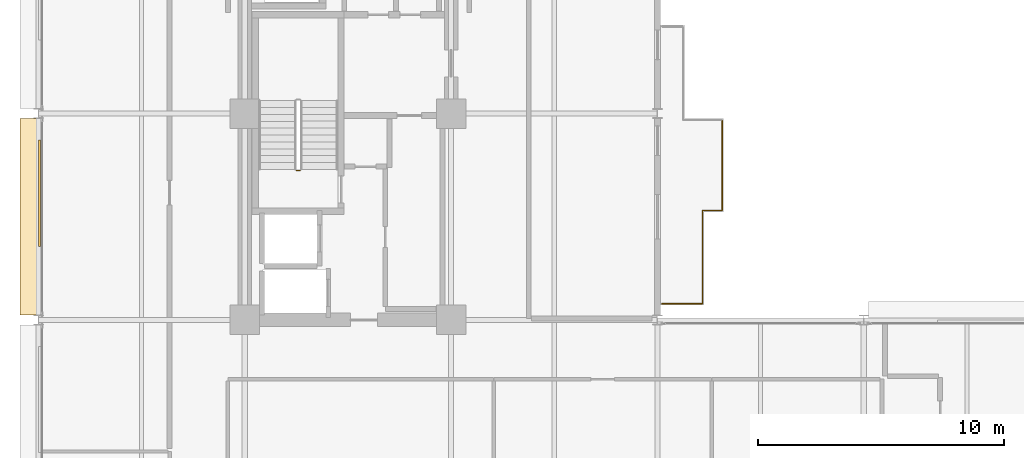
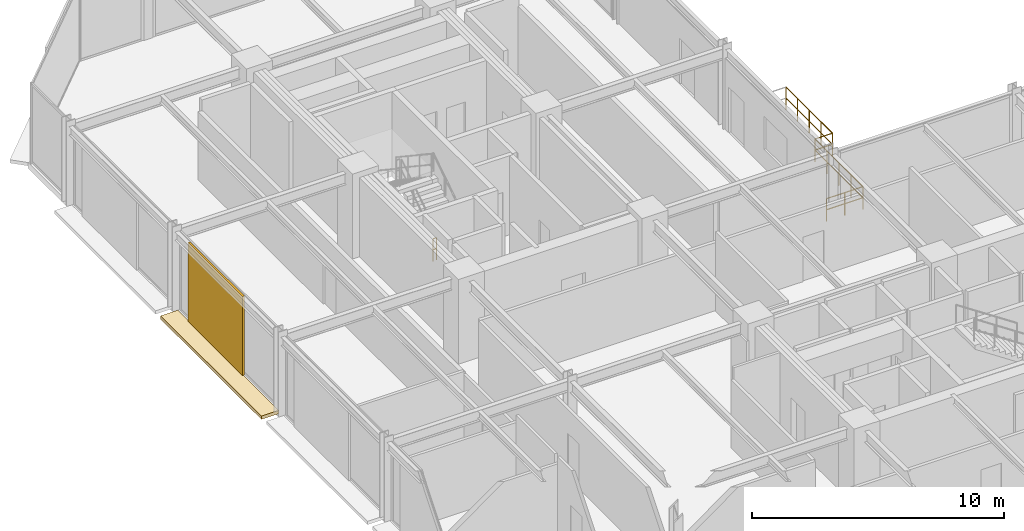
# One storey, part 28 of 30: 5 railings, 2 coverings.
"""IFC4 building model written with IfcOpenShell, lengths in metres."""

from ifc_helpers import new_model, si_unit, direction, frame, origin, origin_2d, place, context, subcontext, project, spatial, polyline, rectangle, circle, outline, extrude, material, layer, layer_set, type_object, element, save


model = new_model("IFC4")

# Units and contexts
model_context = context("Model", 3, precision=1e-05, world=origin(), true_north=direction((0.0, 1.0)))
body_context = subcontext(model_context, "Body", "Model", "MODEL_VIEW")
ifc_project = project(units=[si_unit("LENGTHUNIT", "METRE"), si_unit("AREAUNIT", "SQUARE_METRE"), si_unit("VOLUMEUNIT", "CUBIC_METRE"), si_unit("PLANEANGLEUNIT", "RADIAN"), si_unit("MASSUNIT", "GRAM", prefix="KILO")], contexts=[model_context])

# Site, building, storey
site_placement = place(None, origin())
site = spatial("IfcSite", under=ifc_project, at=site_placement, CompositionType="ELEMENT")
building_placement = place(site_placement, origin())
building = spatial("IfcBuilding", under=site, at=building_placement, Name="Nerrivon Quay Data Exchange", CompositionType="ELEMENT")
storey_placement = place(building_placement, frame((0.0, 0.0, 141.800048828125)))
storey = spatial("IfcBuildingStorey", under=building, at=storey_placement, Name="L33", CompositionType="ELEMENT", Elevation=141.800048828125)

# Coverings
ifc_material_1 = material(Name="Architectural terracotta ceramic", Category="masonry")
ifc_layer_1 = layer(ifc_material_1, 0.159912109375)
ifc_layer_set_1 = layer_set([ifc_layer_1], Name="Architectural terracotta ceramic")
covering_type_1 = type_object("IfcCoveringType", Name="COV-BLD-TERR", PredefinedType="CLADDING", material=ifc_layer_set_1)
covering_1_placement = place(storey_placement, frame((0.0, 0.0, -0.16015625)))
element("IfcCovering", 1, at=covering_1_placement, inside=storey, type_object=covering_type_1, Name="L33 Horizontal Terracotta SOLAR SCREEN Blade", PredefinedType="CLADDING", context=body_context, shape_type="SweptSolid", body=[
    extrude(outline(polyline([(0.0400390625, 25.39990234375), (0.0400390625, 33.39990234375), (-0.75, 33.39990234375), (-0.75, 25.39990234375), (0.0400390625, 25.39990234375)])), origin(), (0.0, 0.0, 1.0), 0.16015625),
])
ifc_layer_2 = layer(ifc_material_1, 0.090087890625)
ifc_layer_set_2 = layer_set([ifc_layer_2], Name="Architectural terracotta ceramic")
covering_type_2 = type_object("IfcCoveringType", Name="COV-SCR-TERR", PredefinedType="CLADDING", material=ifc_layer_set_2)
covering_2_placement = place(storey_placement, frame((0.044921875, 30.360107421875, 0.0), z_axis=(0.0, 0.0, 1.0), x_axis=(0.0, 1.0, 0.0)))
element("IfcCovering", 2, at=covering_2_placement, inside=storey, type_object=covering_type_2, Name="L33 Perforated Terracotta SOLAR SCREEN Cassette", PredefinedType="CLADDING", context=body_context, shape_type="SweptSolid", body=[
    extrude(rectangle(XDim=4.320068359375, YDim=0.090087890625, at=origin_2d()), origin(), (0.0, 0.0, 1.0), 3.824951171875),
])

# Railings
ifc_material_2 = material(Name="Steel Grade C350L0 (350 MPa)", Category="steel")
railing_type_1 = type_object("IfcRailingType", Name="RAIL-GUARD-GR2", PredefinedType="BALUSTRADE", material=ifc_material_2)
railing_1_placement = place(storey_placement, frame((27.0400390625, 29.659912109375, 0.0)))
element("IfcRailing", 3, at=railing_1_placement, inside=storey, type_object=railing_type_1, Name="L33 Verandah Balcony Guard 1.1 1", PredefinedType="BALUSTRADE", context=body_context, shape_type="SweptSolid", body=[
    extrude(circle(Radius=0.02392578125, at=origin_2d()), frame((0.0, 0.0, 1.09619140625), z_axis=(0.0, -1.0, 0.0), x_axis=(1.0, 0.0, 0.0)), (0.0, 0.0, 1.0), 3.7998046875),
    extrude(circle(Radius=0.02392578125, at=origin_2d()), frame((0.0, 0.0, 0.56005859375), z_axis=(0.0, -1.0, 0.0), x_axis=(1.0, 0.0, 0.0)), (0.0, 0.0, 1.0), 3.7998046875),
    extrude(circle(Radius=0.02099609375, at=origin_2d()), origin(), (0.0, 0.0, 1.0), 1.072021484375),
    extrude(circle(Radius=0.02099609375, at=origin_2d()), frame((0.0, -0.949951171875, 0.0)), (0.0, 0.0, 1.0), 1.072021484375),
    extrude(circle(Radius=0.02099609375, at=origin_2d()), frame((0.0, -1.89990234375, 0.0)), (0.0, 0.0, 1.0), 1.072021484375),
    extrude(circle(Radius=0.02099609375, at=origin_2d()), frame((0.0, -2.849853515625, 0.0)), (0.0, 0.0, 1.0), 1.072021484375),
    extrude(circle(Radius=0.02099609375, at=origin_2d()), frame((0.0, -3.7998046875, 0.0)), (0.0, 0.0, 1.0), 1.072021484375),
])
railing_2_placement = place(storey_placement, frame((27.0400390625, 25.860107421875, 0.0)))
element("IfcRailing", 4, at=railing_2_placement, inside=storey, type_object=railing_type_1, Name="L33 Verandah Balcony Guard 1.2 1", PredefinedType="BALUSTRADE", context=body_context, shape_type="SweptSolid", body=[
    extrude(circle(Radius=0.02392578125, at=origin_2d()), frame((0.0, 0.0, 1.09619140625), z_axis=(-1.0, 0.0, 0.0), x_axis=(0.0, -1.0, 0.0)), (0.0, 0.0, 1.0), 1.66015625),
    extrude(circle(Radius=0.02392578125, at=origin_2d()), frame((0.0, 0.0, 0.56005859375), z_axis=(-1.0, 0.0, 0.0), x_axis=(0.0, -1.0, 0.0)), (0.0, 0.0, 1.0), 1.66015625),
    extrude(circle(Radius=0.02099609375, at=origin_2d()), origin(), (0.0, 0.0, 1.0), 1.072021484375),
    extrude(circle(Radius=0.02099609375, at=origin_2d()), frame((-0.830078125, 0.0, 0.0)), (0.0, 0.0, 1.0), 1.072021484375),
    extrude(circle(Radius=0.02099609375, at=origin_2d()), frame((-1.66015625, 0.0, 0.0)), (0.0, 0.0, 1.0), 1.072021484375),
])
railing_3_placement = place(storey_placement, frame((27.840087890625, 33.340087890625, 0.0)))
element("IfcRailing", 5, at=railing_3_placement, inside=storey, type_object=railing_type_1, Name="L33 Verandah Balcony Guard 1.6 1", PredefinedType="BALUSTRADE", context=body_context, shape_type="SweptSolid", body=[
    extrude(circle(Radius=0.02392578125, at=origin_2d()), frame((0.0, 0.0, 1.09619140625), z_axis=(0.0, -1.0, 0.0), x_axis=(1.0, 0.0, 0.0)), (0.0, 0.0, 1.0), 3.68017578125),
    extrude(circle(Radius=0.02392578125, at=origin_2d()), frame((0.0, 0.0, 0.56005859375), z_axis=(0.0, -1.0, 0.0), x_axis=(1.0, 0.0, 0.0)), (0.0, 0.0, 1.0), 3.68017578125),
    extrude(circle(Radius=0.02099609375, at=origin_2d()), origin(), (0.0, 0.0, 1.0), 1.072021484375),
    extrude(circle(Radius=0.02099609375, at=origin_2d()), frame((0.0, -0.919921875, 0.0)), (0.0, 0.0, 1.0), 1.072021484375),
    extrude(circle(Radius=0.02099609375, at=origin_2d()), frame((0.0, -1.840087890625, 0.0)), (0.0, 0.0, 1.0), 1.072021484375),
    extrude(circle(Radius=0.02099609375, at=origin_2d()), frame((0.0, -2.76025390625, 0.0)), (0.0, 0.0, 1.0), 1.072021484375),
    extrude(circle(Radius=0.02099609375, at=origin_2d()), frame((0.0, -3.68017578125, 0.0)), (0.0, 0.0, 1.0), 1.072021484375),
])
railing_4_placement = place(storey_placement, frame((27.840087890625, 29.659912109375, 0.0)))
element("IfcRailing", 6, at=railing_4_placement, inside=storey, type_object=railing_type_1, Name="L33 Verandah Balcony Guard 1.7 1", PredefinedType="BALUSTRADE", context=body_context, shape_type="SweptSolid", body=[
    extrude(circle(Radius=0.02392578125, at=origin_2d()), frame((0.0, 0.0, 1.09619140625), z_axis=(-1.0, 0.0, 0.0), x_axis=(0.0, -1.0, 0.0)), (0.0, 0.0, 1.0), 0.800048828125),
    extrude(circle(Radius=0.02392578125, at=origin_2d()), frame((0.0, 0.0, 0.56005859375), z_axis=(-1.0, 0.0, 0.0), x_axis=(0.0, -1.0, 0.0)), (0.0, 0.0, 1.0), 0.800048828125),
    extrude(circle(Radius=0.02099609375, at=origin_2d()), origin(), (0.0, 0.0, 1.0), 1.072021484375),
    extrude(circle(Radius=0.02099609375, at=origin_2d()), frame((-0.800048828125, 0.0, 0.0)), (0.0, 0.0, 1.0), 1.072021484375),
])
railing_type_2 = type_object("IfcRailingType", Name="RAIL-STAIR-GR1", PredefinedType="BALUSTRADE", material=ifc_material_2)
railing_5_placement = place(storey_placement, frame((10.64990234375, 31.280029296875, 0.0)))
element("IfcRailing", 7, at=railing_5_placement, inside=storey, type_object=railing_type_2, Name="L33 ST01 stair guard 4", PredefinedType="BALUSTRADE", context=body_context, shape_type="SweptSolid", body=[
    extrude(circle(Radius=0.02392578125, at=origin_2d()), frame((0.0, 0.0, 1.076171875), z_axis=(-1.0, 0.0, 0.0), x_axis=(0.0, -1.0, 0.0)), (0.0, 0.0, 1.0), 0.14990234375),
    extrude(circle(Radius=0.02392578125, at=origin_2d()), frame((0.0, 0.0, 0.550048828125), z_axis=(-1.0, 0.0, 0.0), x_axis=(0.0, -1.0, 0.0)), (0.0, 0.0, 1.0), 0.14990234375),
    extrude(circle(Radius=0.02099609375, at=origin_2d()), origin(), (0.0, 0.0, 1.0), 1.052001953125),
    extrude(circle(Radius=0.02099609375, at=origin_2d()), frame((-0.14990234375, 0.0, 0.0)), (0.0, 0.0, 1.0), 1.052001953125),
])

save(model, "model.ifc")
